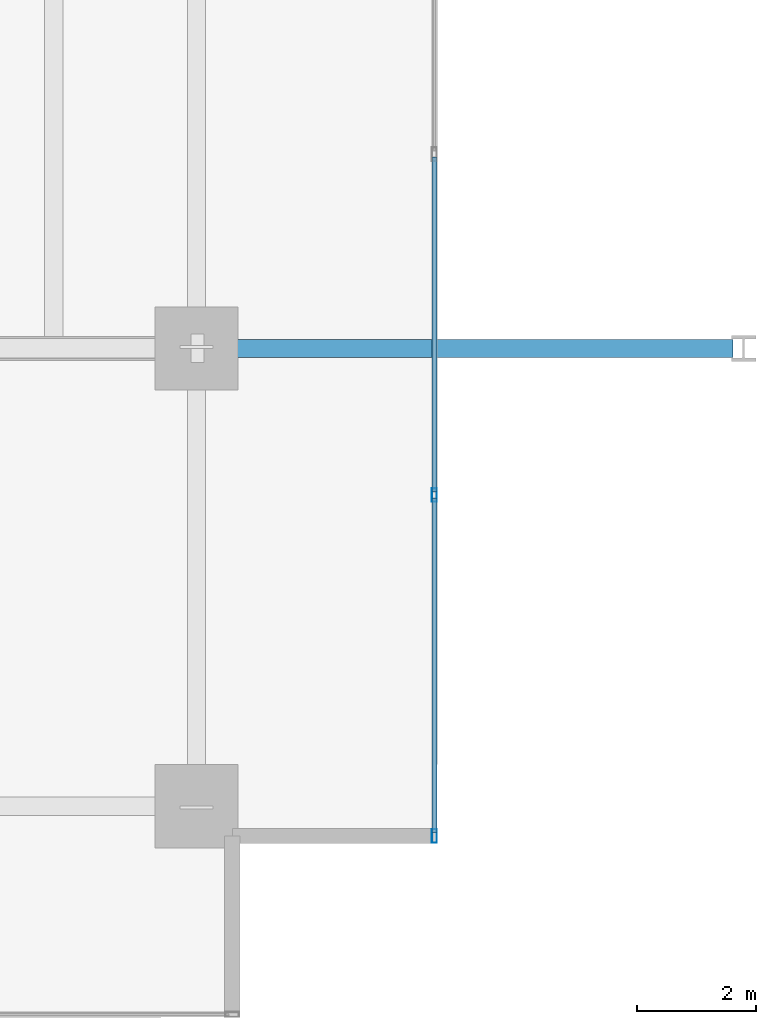
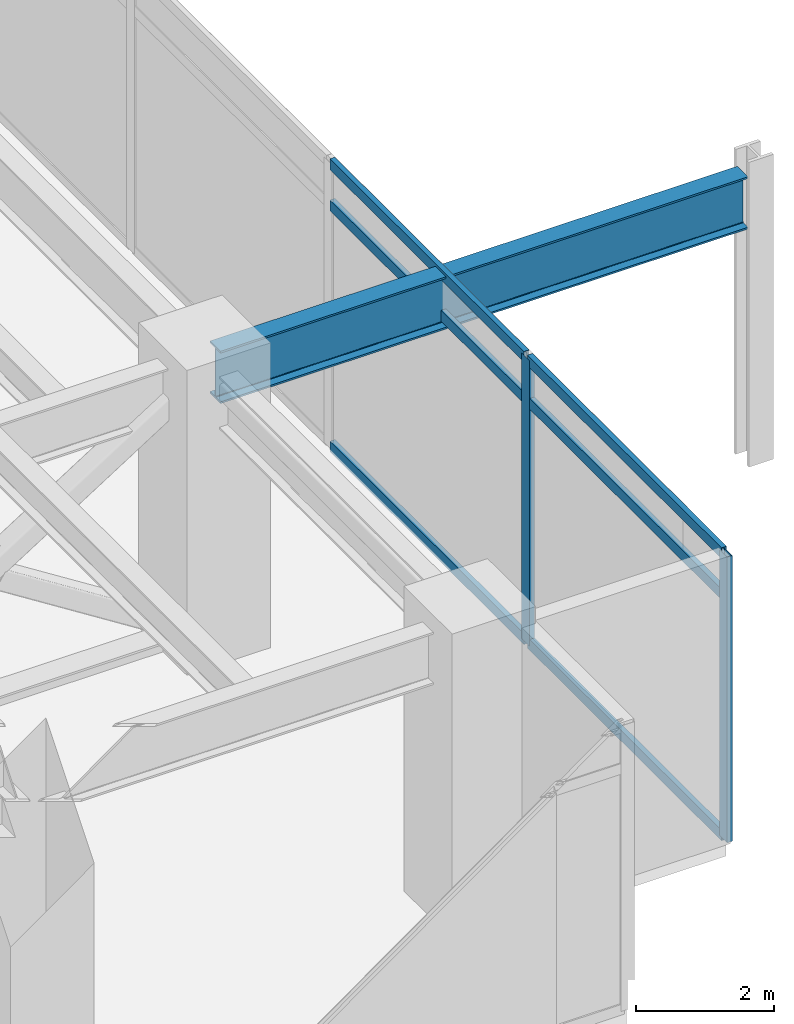
# One storey, part 9 of 21: 8 members, 1 beam, 1 element without a shape of its own.
"""IFC4 building model written with IfcOpenShell, lengths in metres."""

from ifc_helpers import new_model, si_unit, direction, frame, origin, origin_2d, place, context, subcontext, project, spatial, hollow_rectangle, i_section, extrude, material, material_profile, profile_set, type_object, element, aggregate, save


model = new_model("IFC4")

# Units and contexts
model_context = context("Model", 3, precision=1e-05, world=origin(), true_north=direction((0.0, 1.0)))
body_context = subcontext(model_context, "Body", "Model", "MODEL_VIEW")
ifc_project = project(units=[si_unit("LENGTHUNIT", "METRE"), si_unit("AREAUNIT", "SQUARE_METRE"), si_unit("VOLUMEUNIT", "CUBIC_METRE"), si_unit("PLANEANGLEUNIT", "RADIAN"), si_unit("MASSUNIT", "GRAM", prefix="KILO")], contexts=[model_context])

# Site, building, storey
site_placement = place(None, origin())
site = spatial("IfcSite", under=ifc_project, at=site_placement, CompositionType="ELEMENT")
building_placement = place(site_placement, origin())
building = spatial("IfcBuilding", under=site, at=building_placement, Name="Kovane Verandah Tower", CompositionType="ELEMENT")
storey_placement = place(building_placement, frame((0.0, 0.0, 189.39990234375)))
storey = spatial("IfcBuildingStorey", under=building, at=storey_placement, Name="L44", CompositionType="ELEMENT", Elevation=189.39990234375)

# Beam
ifc_material_1 = material(Name="Steel S460", Category="steel")
ifc_material_profile_1 = material_profile(ifc_material_1, i_section(OverallWidth=0.3076171875, OverallDepth=0.926513671875, WebThickness=0.01953125, FlangeThickness=0.031982421875, FilletRadius=0.01904296875, at=origin_2d()), Name="UB914x305x289")
ifc_profile_set_1 = profile_set([ifc_material_profile_1], Name="Steel S460")
beam_type = type_object("IfcBeamType", Name="BM-UB914x289", PredefinedType="BEAM", material=ifc_profile_set_1)
beam_placement = place(storey_placement, frame((58.580078125, 18.5, 4.63671875), z_axis=(1.0, 0.0, 0.0), x_axis=(0.0, 1.0, 0.0)))
element("IfcBeam", 1, at=beam_placement, inside=storey, type_object=beam_type, Name="L44 Primary Tower Girder G-VE1", PredefinedType="BEAM", context=body_context, shape_type="SweptSolid", body=[
    extrude(i_section(OverallWidth=0.3076171875, OverallDepth=0.926513671875, WebThickness=0.01953125, FlangeThickness=0.031982421875, FilletRadius=0.01904296875, at=origin_2d()), origin(), (0.0, 0.0, 1.0), 8.83984375),
])

# Curtain wall, members
ifc_material_2 = material(Name="Champagne Anodised Aluminium Frame with Low-E Clear Laminated Glass", Category="aluminium")
curtain_wall_type = type_object("IfcCurtainWallType", Name="CW-SYS-04-WAIST", PredefinedType="NOTDEFINED", material=ifc_material_2)
curtain_wall_placement = place(storey_placement, origin())
curtain_wall = element("IfcCurtainWall", 2, at=curtain_wall_placement, inside=storey, type_object=curtain_wall_type, Name="L44 E Unitised Curtain Wall", PredefinedType="NOTDEFINED")
ifc_material_3 = material(Name="Champagne Anodised Aluminium 6063-T6", Category="aluminium")
ifc_material_profile_2 = material_profile(ifc_material_3, hollow_rectangle(XDim=0.0849609375, YDim=0.22998046875, WallThickness=0.00390625, at=origin_2d()), Name="AL85x230x4")
ifc_profile_set_2 = profile_set([ifc_material_profile_2], Name="Champagne Anodised Aluminium 6063-T6")
member_type_1 = type_object("IfcMemberType", Name="CW-MUL-85x230", PredefinedType="MULLION", material=ifc_profile_set_2)
member_1_placement = place(storey_placement, frame((62.39990234375, 10.300048828125, 0.02001953125), z_axis=(0.0, 0.0, 1.0), x_axis=(1.0, 0.0, 0.0)))
member_1 = element("IfcMember", 3, at=member_1_placement, type_object=member_type_1, Name="L44 E Unitised Curtain Wall Mullion 1", PredefinedType="MULLION", context=body_context, shape_type="SweptSolid", body=[
    extrude(hollow_rectangle(XDim=0.0849609375, YDim=0.22998046875, WallThickness=0.00390625, at=origin_2d()), origin(), (0.0, 0.0, 1.0), 5.06005859375),
])
member_2_placement = place(storey_placement, frame((62.39990234375, 16.033203125, 0.02001953125), z_axis=(0.0, 0.0, 1.0), x_axis=(1.0, 0.0, 0.0)))
member_2 = element("IfcMember", 4, at=member_2_placement, type_object=member_type_1, Name="L44 E Unitised Curtain Wall Mullion 2", PredefinedType="MULLION", context=body_context, shape_type="SweptSolid", body=[
    extrude(hollow_rectangle(XDim=0.0849609375, YDim=0.22998046875, WallThickness=0.00390625, at=origin_2d()), origin(), (0.0, 0.0, 1.0), 5.06005859375),
])
ifc_material_profile_3 = material_profile(ifc_material_3, hollow_rectangle(XDim=0.0849609375, YDim=0.18994140625, WallThickness=0.00390625, at=origin_2d()), Name="AL85x190x4")
ifc_profile_set_3 = profile_set([ifc_material_profile_3], Name="Champagne Anodised Aluminium 6063-T6")
member_type_2 = type_object("IfcMemberType", Name="CW-TRN-85x190", PredefinedType="USERDEFINED", material=ifc_profile_set_3)
member_3_placement = place(storey_placement, frame((62.39990234375, 10.35009765625, 0.050048828125), z_axis=(0.0, 1.0, 0.0), x_axis=(-1.0, 0.0, 0.0)))
member_3 = element("IfcMember", 5, at=member_3_placement, type_object=member_type_2, Name="L44 E Unitised Curtain Wall Transom TB Bay 1", ObjectType="TRANSOM", PredefinedType="USERDEFINED", context=body_context, shape_type="SweptSolid", body=[
    extrude(hollow_rectangle(XDim=0.0849609375, YDim=0.18994140625, WallThickness=0.00390625, at=origin_2d()), origin(), (0.0, 0.0, 1.0), 5.63330078125),
])
member_4_placement = place(storey_placement, frame((62.39990234375, 10.35009765625, 4.320068359375), z_axis=(0.0, 1.0, 0.0), x_axis=(-1.0, 0.0, 0.0)))
member_4 = element("IfcMember", 6, at=member_4_placement, type_object=member_type_2, Name="L44 E Unitised Curtain Wall Transom TM Bay 1", ObjectType="TRANSOM", PredefinedType="USERDEFINED", context=body_context, shape_type="SweptSolid", body=[
    extrude(hollow_rectangle(XDim=0.0849609375, YDim=0.18994140625, WallThickness=0.00390625, at=origin_2d()), origin(), (0.0, 0.0, 1.0), 5.63330078125),
])
member_5_placement = place(storey_placement, frame((62.39990234375, 10.35009765625, 5.050048828125), z_axis=(0.0, 1.0, 0.0), x_axis=(-1.0, 0.0, 0.0)))
member_5 = element("IfcMember", 7, at=member_5_placement, type_object=member_type_2, Name="L44 E Unitised Curtain Wall Transom TT Bay 1", ObjectType="TRANSOM", PredefinedType="USERDEFINED", context=body_context, shape_type="SweptSolid", body=[
    extrude(hollow_rectangle(XDim=0.0849609375, YDim=0.18994140625, WallThickness=0.00390625, at=origin_2d()), origin(), (0.0, 0.0, 1.0), 5.63330078125),
])
member_6_placement = place(storey_placement, frame((62.39990234375, 16.083251953125, 0.050048828125), z_axis=(0.0, 1.0, 0.0), x_axis=(-1.0, 0.0, 0.0)))
member_6 = element("IfcMember", 8, at=member_6_placement, type_object=member_type_2, Name="L44 E Unitised Curtain Wall Transom TB Bay 2", ObjectType="TRANSOM", PredefinedType="USERDEFINED", context=body_context, shape_type="SweptSolid", body=[
    extrude(hollow_rectangle(XDim=0.0849609375, YDim=0.18994140625, WallThickness=0.00390625, at=origin_2d()), origin(), (0.0, 0.0, 1.0), 5.633544921875),
])
member_7_placement = place(storey_placement, frame((62.39990234375, 16.083251953125, 4.320068359375), z_axis=(0.0, 1.0, 0.0), x_axis=(-1.0, 0.0, 0.0)))
member_7 = element("IfcMember", 9, at=member_7_placement, type_object=member_type_2, Name="L44 E Unitised Curtain Wall Transom TM Bay 2", ObjectType="TRANSOM", PredefinedType="USERDEFINED", context=body_context, shape_type="SweptSolid", body=[
    extrude(hollow_rectangle(XDim=0.0849609375, YDim=0.18994140625, WallThickness=0.00390625, at=origin_2d()), origin(), (0.0, 0.0, 1.0), 5.633544921875),
])
member_8_placement = place(storey_placement, frame((62.39990234375, 16.083251953125, 5.050048828125), z_axis=(0.0, 1.0, 0.0), x_axis=(-1.0, 0.0, 0.0)))
member_8 = element("IfcMember", 10, at=member_8_placement, type_object=member_type_2, Name="L44 E Unitised Curtain Wall Transom TT Bay 2", ObjectType="TRANSOM", PredefinedType="USERDEFINED", context=body_context, shape_type="SweptSolid", body=[
    extrude(hollow_rectangle(XDim=0.0849609375, YDim=0.18994140625, WallThickness=0.00390625, at=origin_2d()), origin(), (0.0, 0.0, 1.0), 5.633544921875),
])
aggregate(curtain_wall, [member_1, member_2, member_3, member_4, member_5, member_6, member_7, member_8])

save(model, "model.ifc")
